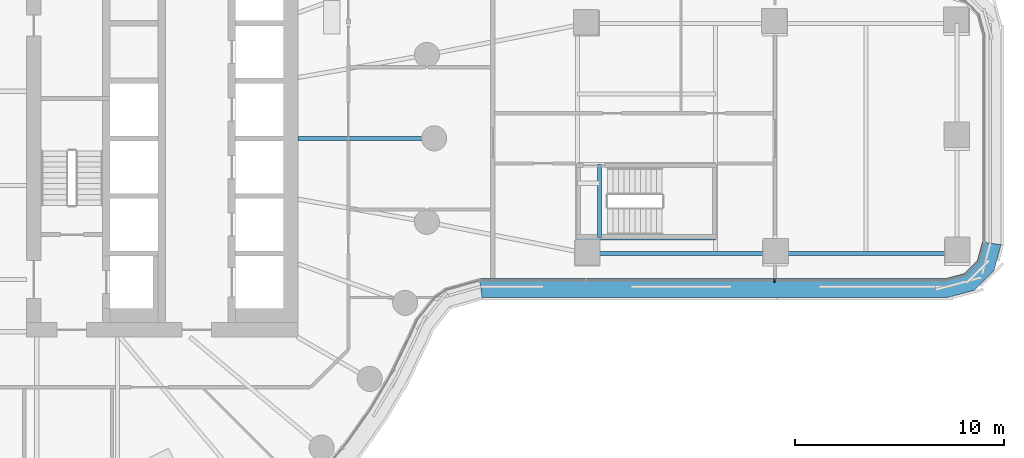
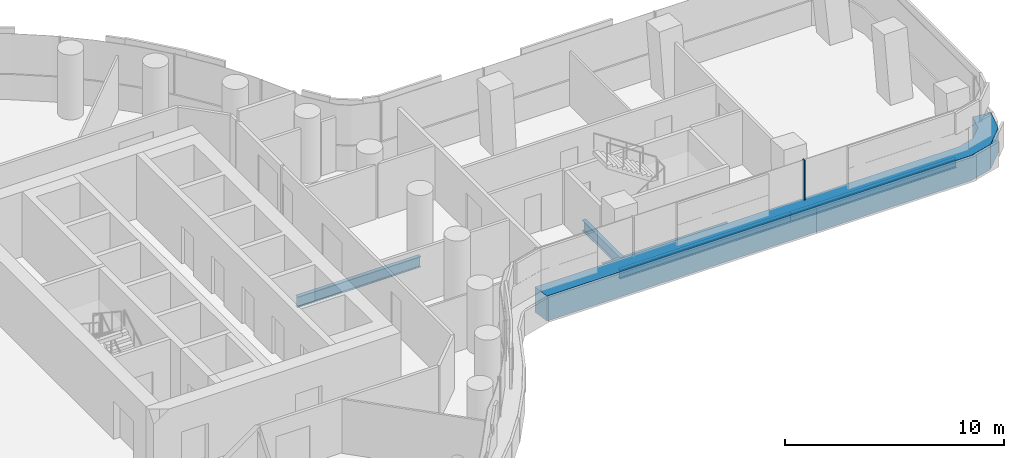
# One storey, part 10 of 32: 5 beams, 2 members, 1 element without a shape of its own.
"""IFC4 building model written with IfcOpenShell, lengths in metres."""

from ifc_helpers import new_model, si_unit, direction, frame, origin, origin_2d, place, context, subcontext, project, spatial, polyline, rectangle, i_section, outline, extrude, material, layer, layer_set, material_profile, profile_set, type_object, element, aggregate, save


model = new_model("IFC4")

# Units and contexts
model_context = context("Model", 3, precision=1e-05, world=origin(), true_north=direction((0.0, 1.0)))
body_context = subcontext(model_context, "Body", "Model", "MODEL_VIEW")
ifc_project = project(units=[si_unit("LENGTHUNIT", "METRE"), si_unit("AREAUNIT", "SQUARE_METRE"), si_unit("VOLUMEUNIT", "CUBIC_METRE"), si_unit("PLANEANGLEUNIT", "RADIAN"), si_unit("MASSUNIT", "GRAM", prefix="KILO")], contexts=[model_context])

# Site, building, storey
site_placement = place(None, origin())
site = spatial("IfcSite", under=ifc_project, at=site_placement, CompositionType="ELEMENT")
building_placement = place(site_placement, origin())
building = spatial("IfcBuilding", under=site, at=building_placement, Name="Tamarind Cross Interchange Tower", CompositionType="ELEMENT")
storey_placement = place(building_placement, frame((0.0, 0.0, 34.0)))
storey = spatial("IfcBuildingStorey", under=building, at=storey_placement, Name="L06", CompositionType="ELEMENT", Elevation=34.0)

# Beams
ifc_material_1 = material(Name="Steel Q355B", Category="steel")
ifc_material_profile_1 = material_profile(ifc_material_1, i_section(OverallWidth=0.198974609375, OverallDepth=0.49609375, WebThickness=0.009033203125, FlangeThickness=0.013916015625, FilletRadius=0.012939453125, at=origin_2d()), Name="HN 496x199x9x14")
ifc_profile_set_1 = profile_set([ifc_material_profile_1], Name="Steel Q355B")
beam_type_1 = type_object("IfcBeamType", Name="Composite beam HN 496x199x9x14 Q355B", PredefinedType="BEAM", material=ifc_profile_set_1)
beam_1_placement = place(storey_placement, frame((48.007568359375, -5.5, -0.387939453125), z_axis=(-1.0, 0.0, 0.0), x_axis=(0.0, -1.0, 0.0)))
element("IfcBeam", 1, at=beam_1_placement, inside=storey, type_object=beam_type_1, Name="Beam E-edgeem5", PredefinedType="BEAM", context=body_context, shape_type="SweptSolid", body=[
    extrude(i_section(OverallWidth=0.198974609375, OverallDepth=0.49609375, WebThickness=0.009033203125, FlangeThickness=0.013916015625, FilletRadius=0.012939453125, at=origin_2d()), origin(), (0.0, 0.0, 1.0), 8.70751953125),
])
beam_2_placement = place(storey_placement, frame((39.300048828125, -5.5, -0.387939453125), z_axis=(-1.0, 0.0, 0.0), x_axis=(0.0, -1.0, 0.0)))
element("IfcBeam", 2, at=beam_2_placement, inside=storey, type_object=beam_type_1, Name="Beam E-edgeem6", PredefinedType="BEAM", context=body_context, shape_type="SweptSolid", body=[
    extrude(i_section(OverallWidth=0.198974609375, OverallDepth=0.49609375, WebThickness=0.009033203125, FlangeThickness=0.013916015625, FilletRadius=0.012939453125, at=origin_2d()), origin(), (0.0, 0.0, 1.0), 9.0),
])
beam_3_placement = place(storey_placement, frame((29.85009765625, -4.75, -0.387939453125), z_axis=(1.0, 0.0, 0.0), x_axis=(0.0, 1.0, 0.0)))
element("IfcBeam", 3, at=beam_3_placement, inside=storey, type_object=beam_type_1, Name="Beam E-tr0", PredefinedType="BEAM", context=body_context, shape_type="SweptSolid", body=[
    extrude(i_section(OverallWidth=0.198974609375, OverallDepth=0.49609375, WebThickness=0.009033203125, FlangeThickness=0.013916015625, FilletRadius=0.012939453125, at=origin_2d()), origin(), (0.0, 0.0, 1.0), 6.599853515625),
])
ifc_material_profile_2 = material_profile(ifc_material_1, i_section(OverallWidth=0.198974609375, OverallDepth=0.595947265625, WebThickness=0.010009765625, FlangeThickness=0.014892578125, FilletRadius=0.012939453125, at=origin_2d()), Name="HN 596x199x10x15")
ifc_profile_set_2 = profile_set([ifc_material_profile_2], Name="Steel Q355B")
beam_type_2 = type_object("IfcBeamType", Name="Composite beam HN 596x199x10x15 Q355B", PredefinedType="BEAM", material=ifc_profile_set_2)
beam_4_placement = place(storey_placement, frame((23.0, 0.0, -0.43798828125), z_axis=(-1.0, 0.0, 0.0), x_axis=(0.0, -1.0, 0.0)))
element("IfcBeam", 4, at=beam_4_placement, inside=storey, type_object=beam_type_2, Name="Beam HH00", PredefinedType="BEAM", context=body_context, shape_type="SweptSolid", body=[
    extrude(i_section(OverallWidth=0.198974609375, OverallDepth=0.595947265625, WebThickness=0.010009765625, FlangeThickness=0.014892578125, FilletRadius=0.012939453125, at=origin_2d()), origin(), (0.0, 0.0, 1.0), 6.5),
])
ifc_material_profile_3 = material_profile(ifc_material_1, i_section(OverallWidth=0.199951171875, OverallDepth=0.60009765625, WebThickness=0.010986328125, FlangeThickness=0.01708984375, FilletRadius=0.012939453125, at=origin_2d()), Name="HN 600x200x11x17")
ifc_profile_set_3 = profile_set([ifc_material_profile_3], Name="Steel Q355B")
beam_type_3 = type_object("IfcBeamType", Name="Composite beam HN 600x200x11x17 Q355B", PredefinedType="BEAM", material=ifc_profile_set_3)
beam_5_placement = place(storey_placement, frame((30.89990234375, -4.75, -0.43994140625), z_axis=(0.0, 1.0, 0.0), x_axis=(-1.0, 0.0, 0.0)))
element("IfcBeam", 5, at=beam_5_placement, inside=storey, type_object=beam_type_3, Name="Beam E-isl0", PredefinedType="BEAM", context=body_context, shape_type="SweptSolid", body=[
    extrude(i_section(OverallWidth=0.199951171875, OverallDepth=0.60009765625, WebThickness=0.010986328125, FlangeThickness=0.01708984375, FilletRadius=0.012939453125, at=origin_2d()), origin(), (0.0, 0.0, 1.0), 3.5),
])

# Curtain wall, members
ifc_material_2 = material(Name="Aluminium 6063-T6", Category="aluminium")
ifc_layer = layer(ifc_material_2, 0.159912109375)
ifc_layer_set = layer_set([ifc_layer], Name="Aluminium 6063-T6")
curtain_wall_type = type_object("IfcCurtainWallType", Name="Office curtain wall, 9.0 m bays", PredefinedType="NOTDEFINED", material=ifc_layer_set)
curtain_wall_placement = place(storey_placement, origin())
curtain_wall = element("IfcCurtainWall", 6, at=curtain_wall_placement, inside=storey, type_object=curtain_wall_type, Name="CWS-L06-08", PredefinedType="NOTDEFINED")
ifc_material_3 = material(Name="Aluminium and insulated spandrel panel", Category="aluminium")
member_type_1 = type_object("IfcMemberType", Name="Floor-edge blade transom", PredefinedType="USERDEFINED", material=ifc_material_3)
member_1_placement = place(storey_placement, origin())
member_1 = element("IfcMember", 7, at=member_1_placement, type_object=member_type_1, Name="CWT-L06-08", ObjectType="TRANSOM", PredefinedType="USERDEFINED", context=body_context, shape_type="SweptSolid", body=[
    extrude(outline(polyline([(25.167724609375, -6.699951171875), (47.468017578125, -6.699951171875), (48.352294921875, -6.463134765625), (48.970703125, -5.8447265625), (49.20751953125, -4.96044921875), (50.107666015625, -5.0791015625), (49.777587890625, -6.310546875), (48.818115234375, -7.27001953125), (47.586669921875, -7.60009765625), (25.291015625, -7.60009765625), (25.167724609375, -6.699951171875)])), origin(), (0.0, 0.0, 1.0), 1.39990234375),
])
ifc_material_profile_4 = material_profile(ifc_material_2, rectangle(XDim=0.06005859375, YDim=0.159912109375, at=origin_2d()), Name="Mullion CW1")
ifc_profile_set_4 = profile_set([ifc_material_profile_4], Name="Aluminium 6063-T6")
member_type_2 = type_object("IfcMemberType", Name="Mullion CW1", PredefinedType="MULLION", material=ifc_profile_set_4)
member_2_placement = place(storey_placement, frame((39.273193359375, -6.800048828125, 1.39990234375), z_axis=(0.0, 0.0, 1.0), x_axis=(1.0, 0.0, 0.0)))
member_2 = element("IfcMember", 8, at=member_2_placement, type_object=member_type_2, Name="CWM-L06-08-02", PredefinedType="MULLION", context=body_context, shape_type="SweptSolid", body=[
    extrude(rectangle(XDim=0.06005859375, YDim=0.159912109375, at=origin_2d()), origin(), (0.0, 0.0, 1.0), 2.210205078125),
])
aggregate(curtain_wall, [member_2, member_1])

save(model, "model.ifc")
